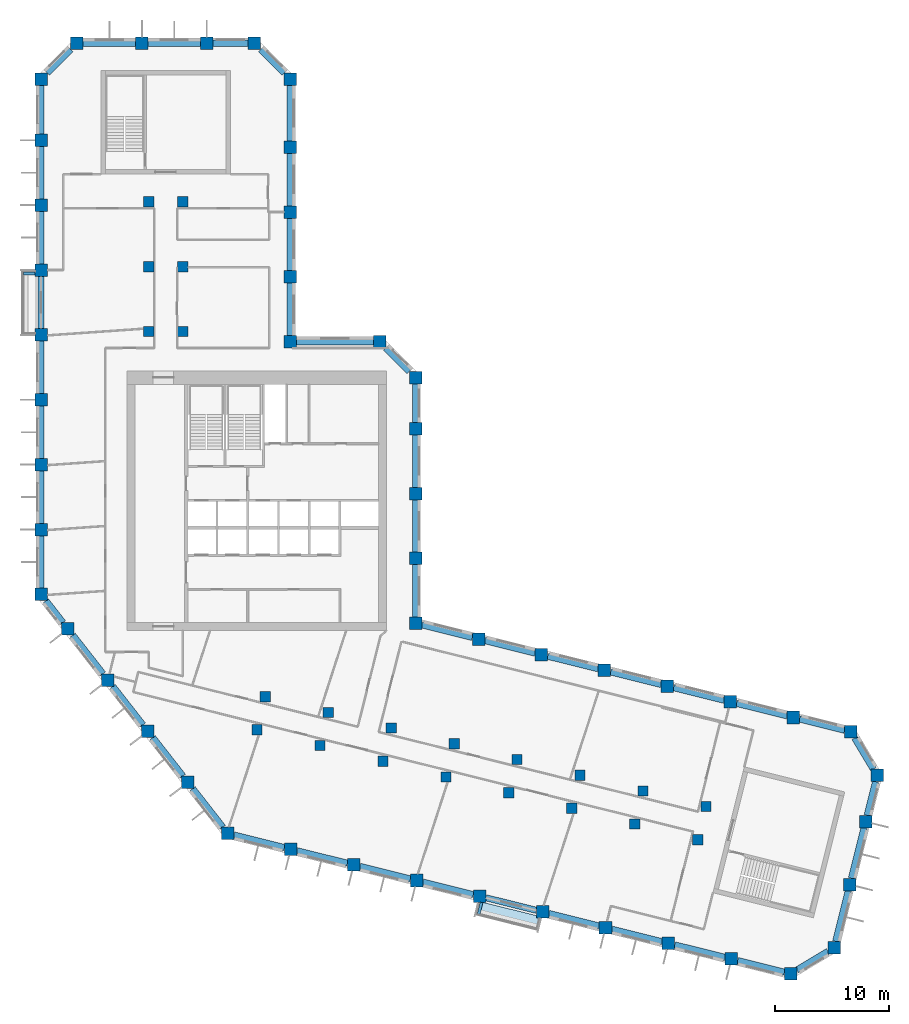
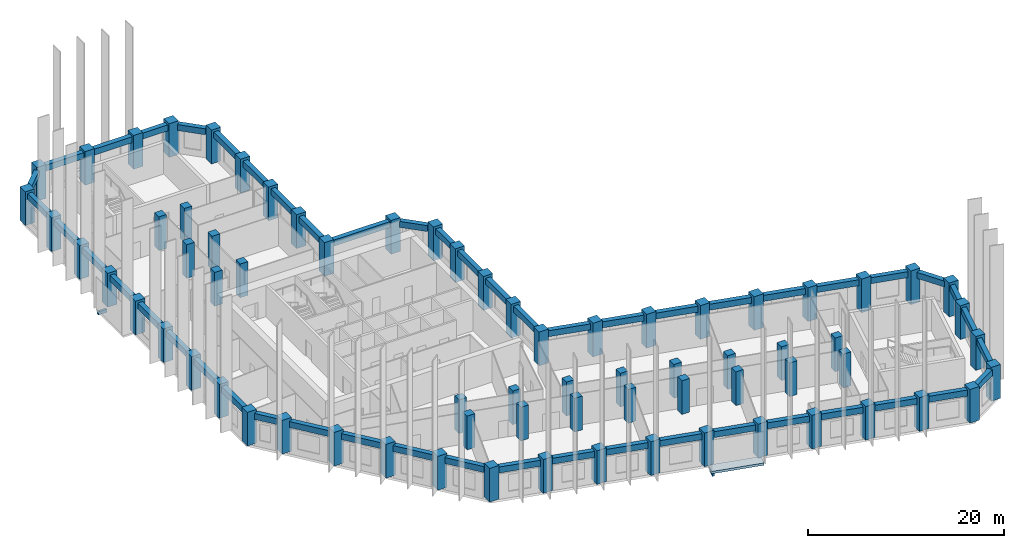
# One storey, part 1 of 10: 71 columns, 51 beams, 1 slab.
"""IFC4 building model written with IfcOpenShell, lengths in metres."""

import ifcopenshell
import ifcopenshell.guid

model = None  # the IFC model being written
_history = None  # IfcOwnerHistory: only IFC2X3 demands one
_inside = {}  # id of a spatial element -> (the spatial element, [elements in it])
_under = {}  # id of a project, library or spatial element -> (it, [spatial elements below it])
_declared = {}  # id of a project -> (the project, [libraries it declares])
_typed = {}  # id of a type object -> (the type object, [elements of that type])
_made_of = {}  # id of a material, layer set ... -> (it, [elements and type objects made of it])


def new_model(schema):
    """Start an empty IFC model of exactly this schema.

    Asked for "IFC4X3", IfcOpenShell would pick the latest addendum, in which some entities
    have other attributes; the version numbers below select the first issue.
    IFC2X3 requires an IfcOwnerHistory on every rooted entity: one is made here for all.
    """
    global model, _history
    if schema == "IFC4X3":
        model = ifcopenshell.file(schema_version=(4, 3, 0, 0))
    else:
        model = ifcopenshell.file(schema=schema)
    _inside.clear()
    _under.clear()
    _declared.clear()
    _typed.clear()
    _made_of.clear()
    _history = None
    if model.schema == "IFC2X3":
        org = make("IfcOrganization", Name="unknown")
        user = make(
            "IfcPersonAndOrganization",
            ThePerson=make("IfcPerson", FamilyName="unknown"),
            TheOrganization=org,
        )
        app = make(
            "IfcApplication",
            ApplicationDeveloper=org,
            Version="unknown",
            ApplicationFullName="unknown",
            ApplicationIdentifier="unknown",
        )
        _history = make(
            "IfcOwnerHistory",
            OwningUser=user,
            OwningApplication=app,
            ChangeAction="ADDED",
            CreationDate=0,
        )
    return model


def make(cls, **values):
    """One entity of the class cls with the attributes given. An attribute that is None is left unset."""
    return model.create_entity(
        cls, **{name: value for name, value in values.items() if value is not None}
    )


def rooted(cls, **values):
    """An entity with a GlobalId (a new one), such as an element, a storey or a relation."""
    return make(cls, GlobalId=ifcopenshell.guid.new(), OwnerHistory=_history, **values)


def si_unit(unit_type, name, prefix=None):
    """IfcSIUnit, for example si_unit("LENGTHUNIT", "METRE", prefix="MILLI")."""
    return make("IfcSIUnit", UnitType=unit_type, Prefix=prefix, Name=name)


def assignment(units):
    """IfcUnitAssignment: the units of a project."""
    return None if units is None else make("IfcUnitAssignment", Units=units)


def point(xyz):
    """IfcCartesianPoint."""
    return None if xyz is None else make("IfcCartesianPoint", Coordinates=xyz)


def direction(xyz):
    """IfcDirection."""
    return None if xyz is None else make("IfcDirection", DirectionRatios=xyz)


def frame(location, z_axis=None, x_axis=None):
    """IfcAxis2Placement3D, a coordinate frame: its origin and axes. An axis left out is left unset."""
    return make(
        "IfcAxis2Placement3D",
        Location=point(location),
        Axis=direction(z_axis),
        RefDirection=direction(x_axis),
    )


def frame_2d(location, x_axis=None):
    """IfcAxis2Placement2D, a coordinate frame in the plane: its origin and x axis."""
    return make(
        "IfcAxis2Placement2D", Location=point(location), RefDirection=direction(x_axis)
    )


def origin():
    """The frame at (0, 0, 0) with its axes left unset."""
    return frame((0.0, 0.0, 0.0))


def origin_2d():
    """The frame at (0, 0) in the plane with its x axis left unset."""
    return frame_2d((0.0, 0.0))


def place(relative_to, where):
    """IfcLocalPlacement: puts the frame where relative to a parent placement (None: the world)."""
    return make(
        "IfcLocalPlacement", PlacementRelTo=relative_to, RelativePlacement=where
    )


def context(
    kind, dimensions, precision=None, world=None, true_north=None, identifier=None
):
    """IfcGeometricRepresentationContext, for example the 3D "Model" context."""
    return make(
        "IfcGeometricRepresentationContext",
        ContextIdentifier=identifier,
        ContextType=kind,
        CoordinateSpaceDimension=dimensions,
        Precision=precision,
        WorldCoordinateSystem=world,
        TrueNorth=true_north,
    )


def subcontext(parent, identifier, kind, view, scale=None):
    """IfcGeometricRepresentationSubContext, for example "Body" below "Model"."""
    return make(
        "IfcGeometricRepresentationSubContext",
        ContextIdentifier=identifier,
        ContextType=kind,
        ParentContext=parent,
        TargetScale=scale,
        TargetView=view,
    )


def project(units=None, contexts=None):
    """IfcProject with its units and contexts."""
    return rooted(
        "IfcProject",
        Name="project",
        RepresentationContexts=contexts,
        UnitsInContext=assignment(units),
    )


def spatial(cls, under=None, at=None, **own):
    """A site, building, storey or space (cls), placed at a placement, below another one or the project."""
    s = rooted(cls, ObjectPlacement=at, **own)
    if under is not None:
        _under.setdefault(under.id(), (under, []))[1].append(s)
    return s


def polyline(points):
    """IfcPolyline through the points."""
    return make("IfcPolyline", Points=[point(p) for p in points])


def profile(cls, at=None, kind="AREA", **sizes):
    """A parametric profile (cls). Its sizes go by their IFC names, for example OverallWidth=200.0."""
    return make(cls, ProfileType=kind, Position=at, **sizes)


def rectangle(**sizes):
    """IfcRectangleProfileDef."""
    return profile("IfcRectangleProfileDef", **sizes)


def outline(outer, holes=None, kind="AREA"):
    """IfcArbitraryClosedProfileDef: a profile drawn as a closed curve; with holes, ...WithVoids."""
    if holes is None:
        return make("IfcArbitraryClosedProfileDef", ProfileType=kind, OuterCurve=outer)
    return make(
        "IfcArbitraryProfileDefWithVoids",
        ProfileType=kind,
        OuterCurve=outer,
        InnerCurves=holes,
    )


def extrude(swept, where, along, depth):
    """IfcExtrudedAreaSolid: the profile swept, set in the frame where, extruded along a direction by depth."""
    return make(
        "IfcExtrudedAreaSolid",
        SweptArea=swept,
        Position=where,
        ExtrudedDirection=direction(along),
        Depth=depth,
    )


def shape(context_of_items, identifier, shape_type, items):
    """IfcShapeRepresentation: the items that make up one representation, for example the "Body"."""
    return make(
        "IfcShapeRepresentation",
        ContextOfItems=context_of_items,
        RepresentationIdentifier=identifier,
        RepresentationType=shape_type,
        Items=items,
    )


def material(Name=None, Category=None):
    """IfcMaterial."""
    return make("IfcMaterial", Name=Name, Category=Category)


def layer(
    of_material, thickness, ventilated=None, Name=None, Category=None, Priority=None
):
    """IfcMaterialLayer: one layer of a wall or slab, of a material (None: an air gap)."""
    return make(
        "IfcMaterialLayer",
        Material=of_material,
        LayerThickness=thickness,
        IsVentilated=ventilated,
        Name=Name,
        Category=Category,
        Priority=Priority,
    )


def layer_set(layers, Name=None):
    """IfcMaterialLayerSet."""
    return make("IfcMaterialLayerSet", MaterialLayers=layers, LayerSetName=Name)


def material_profile(
    of_material, cross_section, Name=None, Category=None, Priority=None
):
    """IfcMaterialProfile: a cross section and its material."""
    return make(
        "IfcMaterialProfile",
        Name=Name,
        Material=of_material,
        Profile=cross_section,
        Priority=Priority,
        Category=Category,
    )


def profile_set(profiles, Name=None, composite=None):
    """IfcMaterialProfileSet."""
    return make(
        "IfcMaterialProfileSet",
        Name=Name,
        MaterialProfiles=profiles,
        CompositeProfile=composite,
    )


def made_of(thing, what):
    """Note that an element or type object is made of a material, layer set ...; save() writes the relation."""
    if what is not None:
        _made_of.setdefault(what.id(), (what, []))[1].append(thing)
    return thing


def type_object(cls, material=None, **own):
    """A type object (cls), such as IfcWallType, which elements share."""
    return made_of(rooted(cls, **own), material)


def element(
    cls,
    number,
    at=None,
    inside=None,
    cuts=None,
    type_object=None,
    material=None,
    context=None,
    identifier="Body",
    shape_type=None,
    held_by="IfcProductDefinitionShape",
    body=None,
    shapes=None,
    **own,
):
    """One element of the class cls, such as IfcWall. Its Tag is "e" and its number.

    at: its placement. inside: the storey or other place that contains it. cuts: it is an
    opening in that element (IfcRelVoidsElement). A single representation is given by context,
    identifier, shape_type and body (its items); several are given by shapes. held_by: the class
    of the entity that holds the representations. save() writes the other relations.
    """
    e = rooted(cls, Tag="e%d" % number, ObjectPlacement=at, **own)
    if body is not None:
        shapes = [shape(context, identifier, shape_type, body)]
    if shapes is not None:
        e.Representation = make(held_by, Representations=shapes)
    if inside is not None:
        _inside.setdefault(inside.id(), (inside, []))[1].append(e)
    if cuts is not None:
        rooted(
            "IfcRelVoidsElement", RelatingBuildingElement=cuts, RelatedOpeningElement=e
        )
    if type_object is not None:
        _typed.setdefault(type_object.id(), (type_object, []))[1].append(e)
    return made_of(e, material)


def aggregate(whole, parts):
    """IfcRelAggregates: a whole, such as a stair, and the parts it consists of."""
    return rooted("IfcRelAggregates", RelatingObject=whole, RelatedObjects=parts)


def save(model, path):
    """Write the relations noted so far, then the file.

    IfcRelAggregates (storeys below a building ...), IfcRelContainedInSpatialStructure (elements
    in a storey), IfcRelDefinesByType, IfcRelAssociatesMaterial and IfcRelDeclares: one each for
    every whole, place, type object, material and project.
    """
    for whole, parts in _under.values():
        aggregate(whole, parts)
    for where, things in _inside.values():
        rooted(
            "IfcRelContainedInSpatialStructure",
            RelatedElements=things,
            RelatingStructure=where,
        )
    for kind, things in _typed.values():
        rooted("IfcRelDefinesByType", RelatedObjects=things, RelatingType=kind)
    for what, things in _made_of.values():
        rooted("IfcRelAssociatesMaterial", RelatedObjects=things, RelatingMaterial=what)
    for by, libraries in _declared.values():
        rooted("IfcRelDeclares", RelatingContext=by, RelatedDefinitions=libraries)
    model.write(path)


model = new_model("IFC4")

# Units and contexts
model_context = context("Model", 3, precision=1e-05, world=origin(), true_north=direction((0.0, 1.0)))
body_context = subcontext(model_context, "Body", "Model", "MODEL_VIEW")
ifc_project = project(units=[si_unit("LENGTHUNIT", "METRE"), si_unit("AREAUNIT", "SQUARE_METRE"), si_unit("VOLUMEUNIT", "CUBIC_METRE"), si_unit("PLANEANGLEUNIT", "RADIAN"), si_unit("MASSUNIT", "GRAM", prefix="KILO")], contexts=[model_context])

# Site, building, storey
site_placement = place(None, origin())
site = spatial("IfcSite", under=ifc_project, at=site_placement, CompositionType="ELEMENT")
building_placement = place(site_placement, origin())
building = spatial("IfcBuilding", under=site, at=building_placement, Name="Meshkara Civic Tower", CompositionType="ELEMENT")
storey_placement = place(building_placement, frame((0.0, 0.0, 242.39990234375)))
storey = spatial("IfcBuildingStorey", under=building, at=storey_placement, Name="L55", CompositionType="ELEMENT", Elevation=242.39990234375)

# Columns
ifc_material_1 = material(Name="Concrete C60", Category="concrete")
ifc_material_profile_1 = material_profile(ifc_material_1, rectangle(XDim=0.89990234375, YDim=0.89990234375, at=origin_2d()))
ifc_profile_set_1 = profile_set([ifc_material_profile_1], Name="Concrete C60")
column_type_1 = type_object("IfcColumnType", Name="Interior column RC 900x900 C60", PredefinedType="COLUMN", material=ifc_profile_set_1)
for number, where, z_axis, x_axis, name in (
    (1, (9.89990234375, 40.35009765625, 0.0), (0.0, 0.0, 1.0), (1.0, 0.0, 0.0), "Column SA1-04 L55"),
    (2, (9.89990234375, 46.050048828125, 0.0), (0.0, 0.0, 1.0), (1.0, 0.0, 0.0), "Column SA1-05 L55"),
    (3, (9.89990234375, 51.75, 0.0), (0.0, 0.0, 1.0), (1.0, 0.0, 0.0), "Column SA1-06 L55"),
    (4, (12.89990234375, 40.35009765625, 0.0), (0.0, 0.0, 1.0), (1.0, 0.0, 0.0), "Column SA2-04 L55"),
    (5, (12.89990234375, 46.050048828125, 0.0), (0.0, 0.0, 1.0), (1.0, 0.0, 0.0), "Column SA2-05 L55"),
    (6, (12.89990234375, 51.75, 0.0), (0.0, 0.0, 1.0), (1.0, 0.0, 0.0), "Column SA2-06 L55"),
    (7, (19.424072265625, 5.360107421875, 0.0), (0.0, 0.0, 1.0), (1.0, 0.0, 0.0), "Column SB1-00 L55"),
    (8, (24.9541015625, 3.98095703125, 0.0), (0.0, 0.0, 1.0), (1.0, 0.0, 0.0), "Column SB1-01 L55"),
    (9, (30.485107421875, 2.60205078125, 0.0), (0.0, 0.0, 1.0), (1.0, 0.0, 0.0), "Column SB1-02 L55"),
    (10, (36.01611328125, 1.222900390625, 0.0), (0.0, 0.0, 1.0), (1.0, 0.0, 0.0), "Column SB1-03 L55"),
    (11, (41.5458984375, -0.156005859375, 0.0), (0.0, 0.0, 1.0), (1.0, 0.0, 0.0), "Column SB1-04 L55"),
    (12, (47.076904296875, -1.534912109375, 0.0), (0.0, 0.0, 1.0), (1.0, 0.0, 0.0), "Column SB1-05 L55"),
    (13, (52.60791015625, -2.9140625, 0.0), (0.0, 0.0, 1.0), (1.0, 0.0, 0.0), "Column SB1-06 L55"),
    (14, (58.138916015625, -4.2919921875, 0.0), (0.0, 0.0, 1.0), (1.0, 0.0, 0.0), "Column SB1-07 L55"),
    (15, (20.14892578125, 8.27099609375, 0.0), (0.0, 0.0, 1.0), (1.0, 0.0, 0.0), "Column SB2-00 L55"),
    (16, (25.679931640625, 6.89208984375, 0.0), (0.0, 0.0, 1.0), (1.0, 0.0, 0.0), "Column SB2-01 L55"),
    (17, (31.2109375, 5.512939453125, 0.0), (0.0, 0.0, 1.0), (1.0, 0.0, 0.0), "Column SB2-02 L55"),
    (18, (36.741943359375, 4.134033203125, 0.0), (0.0, 0.0, 1.0), (1.0, 0.0, 0.0), "Column SB2-03 L55"),
    (19, (42.27197265625, 2.7548828125, 0.0), (0.0, 0.0, 1.0), (1.0, 0.0, 0.0), "Column SB2-04 L55"),
    (20, (47.802978515625, 1.3759765625, 0.0), (0.0, 0.0, 1.0), (1.0, 0.0, 0.0), "Column SB2-05 L55"),
    (21, (53.333984375, -0.0029296875, 0.0), (0.0, 0.0, 1.0), (1.0, 0.0, 0.0), "Column SB2-06 L55"),
    (22, (58.864013671875, -1.382080078125, 0.0), (0.0, 0.0, 1.0), (1.0, 0.0, 0.0), "Column SB2-07 L55"),
):
    element("IfcColumn", number, at=place(storey_placement, frame(where, z_axis=z_axis, x_axis=x_axis)), inside=storey, type_object=column_type_1, Name=name, PredefinedType="COLUMN", context=body_context, shape_type="SweptSolid", body=[
        extrude(rectangle(XDim=0.89990234375, YDim=0.89990234375, at=origin_2d()), origin(), (0.0, 0.0, 1.0), 4.2001953125),
    ])
ifc_material_2 = material(Name="Concrete C60", Category="concrete")
ifc_material_profile_2 = material_profile(ifc_material_2, rectangle(XDim=1.10009765625, YDim=1.10009765625, at=origin_2d()))
ifc_profile_set_2 = profile_set([ifc_material_profile_2], Name="Concrete C60")
column_type_2 = type_object("IfcColumnType", Name="Perimeter column RC 1100x1100 C60", PredefinedType="COLUMN", material=ifc_profile_set_2)
for number, where, z_axis, x_axis, name in (
    (23, (33.35009765625, 14.718994140625, 0.0), (0.0, 0.0, 1.0), (1.0, 0.0, 0.0), "Column HE00 L55"),
    (24, (33.35009765625, 20.4189453125, 0.0), (0.0, 0.0, 1.0), (1.0, 0.0, 0.0), "Column HE01 L55"),
    (25, (33.35009765625, 26.118896484375, 0.0), (0.0, 0.0, 1.0), (1.0, 0.0, 0.0), "Column HE02 L55"),
    (26, (33.35009765625, 31.819091796875, 0.0), (0.0, 0.0, 1.0), (1.0, 0.0, 0.0), "Column HE03 L55"),
    (27, (33.35009765625, 36.2939453125, 0.0), (0.0, 0.0, 1.0), (1.0, 0.0, 0.0), "Column HEE L55"),
    (28, (30.194091796875, 39.449951171875, 0.0), (0.0, 0.0, 1.0), (1.0, 0.0, 0.0), "Column HCeE L55"),
    (29, (22.35009765625, 39.449951171875, 0.0), (0.0, 0.0, 1.0), (1.0, 0.0, 0.0), "Column HN00 L55"),
    (30, (22.35009765625, 45.14990234375, 0.0), (0.0, 0.0, 1.0), (1.0, 0.0, 0.0), "Column AE01 L55"),
    (31, (22.35009765625, 50.85009765625, 0.0), (0.0, 0.0, 1.0), (1.0, 0.0, 0.0), "Column AE02 L55"),
    (32, (22.35009765625, 56.550048828125, 0.0), (0.0, 0.0, 1.0), (1.0, 0.0, 0.0), "Column AE03 L55"),
    (33, (22.35009765625, 62.513916015625, 0.0), (0.0, 0.0, 1.0), (1.0, 0.0, 0.0), "Column AEEP3 L55"),
    (34, (19.194091796875, 65.669921875, 0.0), (0.0, 0.0, 1.0), (1.0, 0.0, 0.0), "Column ATiEP3 L55"),
    (35, (3.60595703125, 65.669921875, 0.0), (0.0, 0.0, 1.0), (1.0, 0.0, 0.0), "Column AT00-P3 L55"),
    (36, (9.305908203125, 65.669921875, 0.0), (0.0, 0.0, 1.0), (1.0, 0.0, 0.0), "Column AT01-P3 L55"),
    (37, (15.006103515625, 65.669921875, 0.0), (0.0, 0.0, 1.0), (1.0, 0.0, 0.0), "Column AT02-P3 L55"),
    (38, (0.449951171875, 62.513916015625, 0.0), (0.0, 0.0, 1.0), (1.0, 0.0, 0.0), "Column ATo00-P3 L55"),
    (39, (0.449951171875, 17.2548828125, 0.0), (0.0, 0.0, 1.0), (1.0, 0.0, 0.0), "Column AW00 L55"),
    (40, (0.449951171875, 22.955078125, 0.0), (0.0, 0.0, 1.0), (1.0, 0.0, 0.0), "Column AW01 L55"),
    (41, (0.449951171875, 28.655029296875, 0.0), (0.0, 0.0, 1.0), (1.0, 0.0, 0.0), "Column AW02 L55"),
    (42, (0.449951171875, 34.35498046875, 0.0), (0.0, 0.0, 1.0), (1.0, 0.0, 0.0), "Column AW03 L55"),
    (43, (0.449951171875, 40.054931640625, 0.0), (0.0, 0.0, 1.0), (1.0, 0.0, 0.0), "Column AW04 L55"),
    (44, (0.449951171875, 45.7548828125, 0.0), (0.0, 0.0, 1.0), (1.0, 0.0, 0.0), "Column AW05 L55"),
    (45, (0.449951171875, 51.455078125, 0.0), (0.0, 0.0, 1.0), (1.0, 0.0, 0.0), "Column AW06 L55"),
    (46, (0.449951171875, 57.155029296875, 0.0), (0.0, 0.0, 1.0), (1.0, 0.0, 0.0), "Column AW07 L55"),
    (47, (16.85107421875, -3.738037109375, 0.0), (0.0, 0.0, 1.0), (1.0, 0.0, 0.0), "Column BOW00 L55"),
    (48, (13.342041015625, 0.75390625, 0.0), (0.0, 0.0, 1.0), (1.0, 0.0, 0.0), "Column BOW01 L55"),
    (49, (9.8330078125, 5.2451171875, 0.0), (0.0, 0.0, 1.0), (1.0, 0.0, 0.0), "Column BOW02 L55"),
    (50, (6.322998046875, 9.737060546875, 0.0), (0.0, 0.0, 1.0), (1.0, 0.0, 0.0), "Column BOW03 L55"),
    (51, (2.81396484375, 14.22900390625, 0.0), (0.0, 0.0, 1.0), (1.0, 0.0, 0.0), "Column BOW04 L55"),
    (52, (22.382080078125, -5.116943359375, 0.0), (0.0, 0.0, 1.0), (1.0, 0.0, 0.0), "Column BS01 L55"),
    (53, (27.912109375, -6.49609375, 0.0), (0.0, 0.0, 1.0), (1.0, 0.0, 0.0), "Column BS02 L55"),
    (54, (33.443115234375, -7.875, 0.0), (0.0, 0.0, 1.0), (1.0, 0.0, 0.0), "Column BS03 L55"),
    (55, (38.97412109375, -9.2529296875, 0.0), (0.0, 0.0, 1.0), (1.0, 0.0, 0.0), "Column BS04-P1 L55"),
    (56, (44.5048828125, -10.632080078125, 0.0), (0.0, 0.0, 1.0), (1.0, 0.0, 0.0), "Column BS05 L55"),
    (57, (50.034912109375, -12.010986328125, 0.0), (0.0, 0.0, 1.0), (1.0, 0.0, 0.0), "Column BS06 L55"),
    (58, (55.56591796875, -13.389892578125, 0.0), (0.0, 0.0, 1.0), (1.0, 0.0, 0.0), "Column BS07 L55"),
    (59, (61.096923828125, -14.76904296875, 0.0), (0.0, 0.0, 1.0), (1.0, 0.0, 0.0), "Column BS08 L55"),
    (60, (66.2958984375, -16.06494140625, 0.0), (0.0, 0.0, 1.0), (1.0, 0.0, 0.0), "Column BSEP3 L55"),
    (61, (70.1220703125, -13.76611328125, 0.0), (0.0, 0.0, 1.0), (1.0, 0.0, 0.0), "Column BToEP3 L55"),
    (62, (71.5009765625, -8.235107421875, 0.0), (0.0, 0.0, 1.0), (1.0, 0.0, 0.0), "Column BT01-P3 L55"),
    (63, (72.8798828125, -2.705078125, 0.0), (0.0, 0.0, 1.0), (1.0, 0.0, 0.0), "Column BT02-P3 L55"),
    (64, (73.89306640625, 1.35791015625, 0.0), (0.0, 0.0, 1.0), (1.0, 0.0, 0.0), "Column BTEP3 L55"),
    (65, (71.593994140625, 5.18310546875, 0.0), (0.0, 0.0, 1.0), (1.0, 0.0, 0.0), "Column BTi00-P3 L55"),
    (66, (38.881103515625, 13.340087890625, 0.0), (0.0, 0.0, 1.0), (1.0, 0.0, 0.0), "Column BN01 L55"),
    (67, (44.410888671875, 11.9609375, 0.0), (0.0, 0.0, 1.0), (1.0, 0.0, 0.0), "Column BN02 L55"),
    (68, (49.94189453125, 10.58203125, 0.0), (0.0, 0.0, 1.0), (1.0, 0.0, 0.0), "Column BN03 L55"),
    (69, (55.472900390625, 9.202880859375, 0.0), (0.0, 0.0, 1.0), (1.0, 0.0, 0.0), "Column BN04 L55"),
    (70, (61.0029296875, 7.823974609375, 0.0), (0.0, 0.0, 1.0), (1.0, 0.0, 0.0), "Column BN05 L55"),
    (71, (66.533935546875, 6.445068359375, 0.0), (0.0, 0.0, 1.0), (1.0, 0.0, 0.0), "Column BN06 L55"),
):
    element("IfcColumn", number, at=place(storey_placement, frame(where, z_axis=z_axis, x_axis=x_axis)), inside=storey, type_object=column_type_2, Name=name, PredefinedType="COLUMN", context=body_context, shape_type="SweptSolid", body=[
        extrude(rectangle(XDim=1.10009765625, YDim=1.10009765625, at=origin_2d()), origin(), (0.0, 0.0, 1.0), 4.2001953125),
    ])

# Beams
ifc_material_3 = material(Name="Concrete C50", Category="concrete")
ifc_material_profile_3 = material_profile(ifc_material_3, rectangle(XDim=0.25, YDim=0.39990234375, at=origin_2d()))
ifc_profile_set_3 = profile_set([ifc_material_profile_3], Name="Concrete C50")
beam_type_1 = type_object("IfcBeamType", Name="Balcony bracket beam RC 250x400 C50", PredefinedType="BEAM", material=ifc_profile_set_3)
beam_1_placement = place(storey_placement, frame((-0.094970703125, 45.455078125, -0.5), z_axis=(-1.0, 0.0, 0.0), x_axis=(0.0, -1.0, 0.0)))
element("IfcBeam", 72, at=beam_1_placement, inside=storey, type_object=beam_type_1, Name="Balcony bracket beam", PredefinedType="BEAM", context=body_context, shape_type="SweptSolid", body=[
    extrude(rectangle(XDim=0.25, YDim=0.39990234375, at=origin_2d()), origin(), (0.0, 0.0, 1.0), 1.005126953125),
])
beam_2_placement = place(storey_placement, frame((39.14697265625, -9.798095703125, -0.5), z_axis=(-0.241725333206, -0.970344713639, 0.0), x_axis=(0.970344713639, -0.241725333206, 0.0)))
element("IfcBeam", 73, at=beam_2_placement, inside=storey, type_object=beam_type_1, Name="Balcony bracket beam", PredefinedType="BEAM", context=body_context, shape_type="SweptSolid", body=[
    extrude(rectangle(XDim=0.25, YDim=0.39990234375, at=origin_2d()), origin(), (0.0, 0.0, 1.0), 1.0634765625),
])
ifc_material_4 = material(Name="Concrete C60", Category="concrete")
ifc_material_profile_4 = material_profile(ifc_material_4, rectangle(XDim=0.550048828125, YDim=0.75, at=origin_2d()))
ifc_profile_set_4 = profile_set([ifc_material_profile_4], Name="Concrete C60")
beam_type_2 = type_object("IfcBeamType", Name="Spandrel beam RC 550x750 C60", PredefinedType="BEAM", material=ifc_profile_set_4)
beam_3_placement = place(storey_placement, frame((65.989013671875, 6.580810546875, 3.525146484375), z_axis=(-0.970299186733, 0.241908016044, 0.0), x_axis=(-0.241908016044, -0.970299186733, 0.0)))
element("IfcBeam", 74, at=beam_3_placement, inside=storey, type_object=beam_type_2, Name="Spandrel beam BN05-BN06", PredefinedType="BEAM", context=body_context, shape_type="SweptSolid", body=[
    extrude(rectangle(XDim=0.550048828125, YDim=0.75, at=origin_2d()), origin(), (0.0, 0.0, 1.0), 4.576904296875),
])
beam_4_placement = place(storey_placement, frame((60.4580078125, 7.9599609375, 3.525146484375), z_axis=(-0.970286696562, 0.241958108925, 0.0), x_axis=(-0.241958108925, -0.970286696562, 0.0)))
element("IfcBeam", 75, at=beam_4_placement, inside=storey, type_object=beam_type_2, Name="Spandrel beam BN04-BN05", PredefinedType="BEAM", context=body_context, shape_type="SweptSolid", body=[
    extrude(rectangle(XDim=0.550048828125, YDim=0.75, at=origin_2d()), origin(), (0.0, 0.0, 1.0), 4.575927734375),
])
for number, where, z_axis, x_axis, name in (
    (76, (54.927978515625, 9.3388671875, 3.525146484375), (-0.970299186733, 0.241908016044, 0.0), (-0.241908016044, -0.970299186733, 0.0), "Spandrel beam BN03-BN04"),
    (77, (49.39697265625, 10.718017578125, 3.525146484375), (-0.970299186733, 0.241908016044, 0.0), (-0.241908016044, -0.970299186733, 0.0), "Spandrel beam BN02-BN03"),
):
    element("IfcBeam", number, at=place(storey_placement, frame(where, z_axis=z_axis, x_axis=x_axis)), inside=storey, type_object=beam_type_2, Name=name, PredefinedType="BEAM", context=body_context, shape_type="SweptSolid", body=[
        extrude(rectangle(XDim=0.550048828125, YDim=0.75, at=origin_2d()), origin(), (0.0, 0.0, 1.0), 4.576904296875),
    ])
beam_5_placement = place(storey_placement, frame((43.865966796875, 12.096923828125, 3.525146484375), z_axis=(-0.970286696562, 0.241958108925, 0.0), x_axis=(-0.241958108925, -0.970286696562, 0.0)))
element("IfcBeam", 78, at=beam_5_placement, inside=storey, type_object=beam_type_2, Name="Spandrel beam BN01-BN02", PredefinedType="BEAM", context=body_context, shape_type="SweptSolid", body=[
    extrude(rectangle(XDim=0.550048828125, YDim=0.75, at=origin_2d()), origin(), (0.0, 0.0, 1.0), 4.575927734375),
])
beam_6_placement = place(storey_placement, frame((38.3359375, 13.475830078125, 3.525146484375), z_axis=(-0.970299186733, 0.241908016044, 0.0), x_axis=(-0.241908016044, -0.970299186733, 0.0)))
element("IfcBeam", 79, at=beam_6_placement, inside=storey, type_object=beam_type_2, Name="Spandrel beam BN01-HE00", PredefinedType="BEAM", context=body_context, shape_type="SweptSolid", body=[
    extrude(rectangle(XDim=0.550048828125, YDim=0.75, at=origin_2d()), origin(), (0.0, 0.0, 1.0), 4.576904296875),
])
beam_7_placement = place(storey_placement, frame((33.35009765625, 15.263916015625, 3.525146484375), z_axis=(0.0, 1.0, 0.0), x_axis=(-1.0, 0.0, 0.0)))
element("IfcBeam", 80, at=beam_7_placement, inside=storey, type_object=beam_type_2, Name="Spandrel beam HE00-HE01", PredefinedType="BEAM", context=body_context, shape_type="SweptSolid", body=[
    extrude(rectangle(XDim=0.550048828125, YDim=0.75, at=origin_2d()), origin(), (0.0, 0.0, 1.0), 4.610107421875),
])
for number, where, z_axis, x_axis, name in (
    (81, (33.35009765625, 20.964111328125, 3.525146484375), (0.0, 1.0, 0.0), (-1.0, 0.0, 0.0), "Spandrel beam HE01-HE02"),
    (82, (33.35009765625, 26.6640625, 3.525146484375), (0.0, 1.0, 0.0), (-1.0, 0.0, 0.0), "Spandrel beam HE02-HE03"),
):
    element("IfcBeam", number, at=place(storey_placement, frame(where, z_axis=z_axis, x_axis=x_axis)), inside=storey, type_object=beam_type_2, Name=name, PredefinedType="BEAM", context=body_context, shape_type="SweptSolid", body=[
        extrude(rectangle(XDim=0.550048828125, YDim=0.75, at=origin_2d()), origin(), (0.0, 0.0, 1.0), 4.60986328125),
    ])
beam_8_placement = place(storey_placement, frame((33.35009765625, 32.364013671875, 3.525146484375), z_axis=(0.0, 1.0, 0.0), x_axis=(-1.0, 0.0, 0.0)))
element("IfcBeam", 83, at=beam_8_placement, inside=storey, type_object=beam_type_2, Name="Spandrel beam HE03-HEE", PredefinedType="BEAM", context=body_context, shape_type="SweptSolid", body=[
    extrude(rectangle(XDim=0.550048828125, YDim=0.75, at=origin_2d()), origin(), (0.0, 0.0, 1.0), 3.385009765625),
])
beam_9_placement = place(storey_placement, frame((32.803466796875, 36.840576171875, 3.525146484375), z_axis=(-0.707106781187, 0.707106781187, 0.0), x_axis=(-0.707106781187, -0.707106781187, 0.0)))
element("IfcBeam", 84, at=beam_9_placement, inside=storey, type_object=beam_type_2, Name="Spandrel beam HCeE-HEE", PredefinedType="BEAM", context=body_context, shape_type="SweptSolid", body=[
    extrude(rectangle(XDim=0.550048828125, YDim=0.75, at=origin_2d()), origin(), (0.0, 0.0, 1.0), 2.91748046875),
])
beam_10_placement = place(storey_placement, frame((29.64892578125, 39.449951171875, 3.525146484375), z_axis=(-1.0, 0.0, 0.0), x_axis=(0.0, -1.0, 0.0)))
element("IfcBeam", 85, at=beam_10_placement, inside=storey, type_object=beam_type_2, Name="Spandrel beam HCeE-HN00", PredefinedType="BEAM", context=body_context, shape_type="SweptSolid", body=[
    extrude(rectangle(XDim=0.550048828125, YDim=0.75, at=origin_2d()), origin(), (0.0, 0.0, 1.0), 6.75390625),
])
for number, where, z_axis, x_axis, name in (
    (86, (22.35009765625, 39.9951171875, 3.525146484375), (0.0, 1.0, 0.0), (-1.0, 0.0, 0.0), "Spandrel beam AE01-HN00"),
    (87, (22.35009765625, 45.695068359375, 3.525146484375), (0.0, 1.0, 0.0), (-1.0, 0.0, 0.0), "Spandrel beam AE01-AE02"),
    (88, (22.35009765625, 51.39501953125, 3.525146484375), (0.0, 1.0, 0.0), (-1.0, 0.0, 0.0), "Spandrel beam AE02-AE03"),
):
    element("IfcBeam", number, at=place(storey_placement, frame(where, z_axis=z_axis, x_axis=x_axis)), inside=storey, type_object=beam_type_2, Name=name, PredefinedType="BEAM", context=body_context, shape_type="SweptSolid", body=[
        extrude(rectangle(XDim=0.550048828125, YDim=0.75, at=origin_2d()), origin(), (0.0, 0.0, 1.0), 4.60986328125),
    ])
beam_11_placement = place(storey_placement, frame((22.35009765625, 57.094970703125, 3.525146484375), z_axis=(0.0, 1.0, 0.0), x_axis=(-1.0, 0.0, 0.0)))
element("IfcBeam", 89, at=beam_11_placement, inside=storey, type_object=beam_type_2, Name="Spandrel beam AE03-AEEP3", PredefinedType="BEAM", context=body_context, shape_type="SweptSolid", body=[
    extrude(rectangle(XDim=0.550048828125, YDim=0.75, at=origin_2d()), origin(), (0.0, 0.0, 1.0), 4.8740234375),
])
beam_12_placement = place(storey_placement, frame((21.803466796875, 63.060546875, 3.525146484375), z_axis=(-0.707106781187, 0.707106781187, 0.0), x_axis=(-0.707106781187, -0.707106781187, 0.0)))
element("IfcBeam", 90, at=beam_12_placement, inside=storey, type_object=beam_type_2, Name="Spandrel beam AEEP3-ATiEP3", PredefinedType="BEAM", context=body_context, shape_type="SweptSolid", body=[
    extrude(rectangle(XDim=0.550048828125, YDim=0.75, at=origin_2d()), origin(), (0.0, 0.0, 1.0), 2.91748046875),
])
beam_13_placement = place(storey_placement, frame((18.64892578125, 65.669921875, 3.525146484375), z_axis=(-1.0, 0.0, 0.0), x_axis=(0.0, -1.0, 0.0)))
element("IfcBeam", 91, at=beam_13_placement, inside=storey, type_object=beam_type_2, Name="Spandrel beam AT02-P3-ATiEP3", PredefinedType="BEAM", context=body_context, shape_type="SweptSolid", body=[
    extrude(rectangle(XDim=0.550048828125, YDim=0.75, at=origin_2d()), origin(), (0.0, 0.0, 1.0), 3.097900390625),
])
beam_14_placement = place(storey_placement, frame((14.4609375, 65.669921875, 3.525146484375), z_axis=(-1.0, 0.0, 0.0), x_axis=(0.0, -1.0, 0.0)))
element("IfcBeam", 92, at=beam_14_placement, inside=storey, type_object=beam_type_2, Name="Spandrel beam AT01-P3-AT02-P3", PredefinedType="BEAM", context=body_context, shape_type="SweptSolid", body=[
    extrude(rectangle(XDim=0.550048828125, YDim=0.75, at=origin_2d()), origin(), (0.0, 0.0, 1.0), 4.60986328125),
])
beam_15_placement = place(storey_placement, frame((8.760986328125, 65.669921875, 3.525146484375), z_axis=(-1.0, 0.0, 0.0), x_axis=(0.0, -1.0, 0.0)))
element("IfcBeam", 93, at=beam_15_placement, inside=storey, type_object=beam_type_2, Name="Spandrel beam AT00-P3-AT01-P3", PredefinedType="BEAM", context=body_context, shape_type="SweptSolid", body=[
    extrude(rectangle(XDim=0.550048828125, YDim=0.75, at=origin_2d()), origin(), (0.0, 0.0, 1.0), 4.610107421875),
])
beam_16_placement = place(storey_placement, frame((3.0595703125, 65.12353515625, 3.525146484375), z_axis=(-0.707106781187, -0.707106781187, 0.0), x_axis=(0.707106781187, -0.707106781187, 0.0)))
element("IfcBeam", 94, at=beam_16_placement, inside=storey, type_object=beam_type_2, Name="Spandrel beam AT00-P3-ATo00-P3", PredefinedType="BEAM", context=body_context, shape_type="SweptSolid", body=[
    extrude(rectangle(XDim=0.550048828125, YDim=0.75, at=origin_2d()), origin(), (0.0, 0.0, 1.0), 2.91748046875),
])
beam_17_placement = place(storey_placement, frame((0.449951171875, 61.968994140625, 3.525146484375), z_axis=(0.0, -1.0, 0.0), x_axis=(1.0, 0.0, 0.0)))
element("IfcBeam", 95, at=beam_17_placement, inside=storey, type_object=beam_type_2, Name="Spandrel beam ATo00-P3-AW07", PredefinedType="BEAM", context=body_context, shape_type="SweptSolid", body=[
    extrude(rectangle(XDim=0.550048828125, YDim=0.75, at=origin_2d()), origin(), (0.0, 0.0, 1.0), 4.26904296875),
])
beam_18_placement = place(storey_placement, frame((0.449951171875, 56.610107421875, 3.525146484375), z_axis=(0.0, -1.0, 0.0), x_axis=(1.0, 0.0, 0.0)))
element("IfcBeam", 96, at=beam_18_placement, inside=storey, type_object=beam_type_2, Name="Spandrel beam AW06-AW07", PredefinedType="BEAM", context=body_context, shape_type="SweptSolid", body=[
    extrude(rectangle(XDim=0.550048828125, YDim=0.75, at=origin_2d()), origin(), (0.0, 0.0, 1.0), 4.610107421875),
])
for number, where, z_axis, x_axis, name in (
    (97, (0.449951171875, 50.909912109375, 3.525146484375), (0.0, -1.0, 0.0), (1.0, 0.0, 0.0), "Spandrel beam AW05-AW06"),
    (98, (0.449951171875, 45.2099609375, 3.525146484375), (0.0, -1.0, 0.0), (1.0, 0.0, 0.0), "Spandrel beam AW04-AW05"),
):
    element("IfcBeam", number, at=place(storey_placement, frame(where, z_axis=z_axis, x_axis=x_axis)), inside=storey, type_object=beam_type_2, Name=name, PredefinedType="BEAM", context=body_context, shape_type="SweptSolid", body=[
        extrude(rectangle(XDim=0.550048828125, YDim=0.75, at=origin_2d()), origin(), (0.0, 0.0, 1.0), 4.60986328125),
    ])
for number, where, z_axis, x_axis, name in (
    (99, (0.449951171875, 39.510009765625, 3.525146484375), (0.0, -1.0, 0.0), (1.0, 0.0, 0.0), "Spandrel beam AW03-AW04"),
    (100, (0.449951171875, 33.81005859375, 3.525146484375), (0.0, -1.0, 0.0), (1.0, 0.0, 0.0), "Spandrel beam AW02-AW03"),
    (101, (0.449951171875, 28.110107421875, 3.525146484375), (0.0, -1.0, 0.0), (1.0, 0.0, 0.0), "Spandrel beam AW01-AW02"),
):
    element("IfcBeam", number, at=place(storey_placement, frame(where, z_axis=z_axis, x_axis=x_axis)), inside=storey, type_object=beam_type_2, Name=name, PredefinedType="BEAM", context=body_context, shape_type="SweptSolid", body=[
        extrude(rectangle(XDim=0.550048828125, YDim=0.75, at=origin_2d()), origin(), (0.0, 0.0, 1.0), 4.610107421875),
    ])
beam_19_placement = place(storey_placement, frame((0.449951171875, 22.409912109375, 3.525146484375), z_axis=(0.0, -1.0, 0.0), x_axis=(1.0, 0.0, 0.0)))
element("IfcBeam", 102, at=beam_19_placement, inside=storey, type_object=beam_type_2, Name="Spandrel beam AW00-AW01", PredefinedType="BEAM", context=body_context, shape_type="SweptSolid", body=[
    extrude(rectangle(XDim=0.550048828125, YDim=0.75, at=origin_2d()), origin(), (0.0, 0.0, 1.0), 4.60986328125),
])
beam_20_placement = place(storey_placement, frame((0.876708984375, 16.708984375, 3.525146484375), z_axis=(0.615626666257, -0.788037948194, 0.0), x_axis=(0.788037948194, 0.615626666257, 0.0)))
element("IfcBeam", 103, at=beam_20_placement, inside=storey, type_object=beam_type_2, Name="Spandrel beam AW00-BOW04", PredefinedType="BEAM", context=body_context, shape_type="SweptSolid", body=[
    extrude(rectangle(XDim=0.550048828125, YDim=0.75, at=origin_2d()), origin(), (0.0, 0.0, 1.0), 2.4541015625),
])
beam_21_placement = place(storey_placement, frame((3.240478515625, 13.682861328125, 3.525146484375), z_axis=(0.615647336498, -0.788021799865, 0.0), x_axis=(0.788021799865, 0.615647336498, 0.0)))
element("IfcBeam", 104, at=beam_21_placement, inside=storey, type_object=beam_type_2, Name="Spandrel beam BOW03-BOW04", PredefinedType="BEAM", context=body_context, shape_type="SweptSolid", body=[
    extrude(rectangle(XDim=0.550048828125, YDim=0.75, at=origin_2d()), origin(), (0.0, 0.0, 1.0), 4.314208984375),
])
beam_22_placement = place(storey_placement, frame((6.749755859375, 9.19091796875, 3.525146484375), z_axis=(0.615690159083, -0.787988342559, 0.0), x_axis=(0.787988342559, 0.615690159083, 0.0)))
element("IfcBeam", 105, at=beam_22_placement, inside=storey, type_object=beam_type_2, Name="Spandrel beam BOW02-BOW03", PredefinedType="BEAM", context=body_context, shape_type="SweptSolid", body=[
    extrude(rectangle(XDim=0.550048828125, YDim=0.75, at=origin_2d()), origin(), (0.0, 0.0, 1.0), 4.314697265625),
])
beam_23_placement = place(storey_placement, frame((10.259765625, 4.698974609375, 3.525146484375), z_axis=(0.615659419462, -0.788012359819, 0.0), x_axis=(0.788012359819, 0.615659419462, 0.0)))
element("IfcBeam", 106, at=beam_23_placement, inside=storey, type_object=beam_type_2, Name="Spandrel beam BOW01-BOW02", PredefinedType="BEAM", context=body_context, shape_type="SweptSolid", body=[
    extrude(rectangle(XDim=0.550048828125, YDim=0.75, at=origin_2d()), origin(), (0.0, 0.0, 1.0), 4.313232421875),
])
beam_24_placement = place(storey_placement, frame((13.7685546875, 0.2080078125, 3.525146484375), z_axis=(0.615584739249, -0.788070700384, 0.0), x_axis=(0.788070700384, 0.615584739249, 0.0)))
element("IfcBeam", 107, at=beam_24_placement, inside=storey, type_object=beam_type_2, Name="Spandrel beam BOW00-BOW01", PredefinedType="BEAM", context=body_context, shape_type="SweptSolid", body=[
    extrude(rectangle(XDim=0.550048828125, YDim=0.75, at=origin_2d()), origin(), (0.0, 0.0, 1.0), 4.314208984375),
])
beam_25_placement = place(storey_placement, frame((17.39599609375, -3.873779296875, 3.525146484375), z_axis=(0.970286664886, -0.24195823595, 0.0), x_axis=(0.24195823595, 0.970286664886, 0.0)))
element("IfcBeam", 108, at=beam_25_placement, inside=storey, type_object=beam_type_2, Name="Spandrel beam BOW00-BS01", PredefinedType="BEAM", context=body_context, shape_type="SweptSolid", body=[
    extrude(rectangle(XDim=0.550048828125, YDim=0.75, at=origin_2d()), origin(), (0.0, 0.0, 1.0), 4.576904296875),
])
beam_26_placement = place(storey_placement, frame((22.927001953125, -5.2529296875, 3.525146484375), z_axis=(0.970286696562, -0.241958108925, 0.0), x_axis=(0.241958108925, 0.970286696562, 0.0)))
element("IfcBeam", 109, at=beam_26_placement, inside=storey, type_object=beam_type_2, Name="Spandrel beam BS01-BS02", PredefinedType="BEAM", context=body_context, shape_type="SweptSolid", body=[
    extrude(rectangle(XDim=0.550048828125, YDim=0.75, at=origin_2d()), origin(), (0.0, 0.0, 1.0), 4.575927734375),
])
beam_27_placement = place(storey_placement, frame((28.45703125, -6.6318359375, 3.525146484375), z_axis=(0.970299186733, -0.241908016044, 0.0), x_axis=(0.241908016044, 0.970299186733, 0.0)))
element("IfcBeam", 110, at=beam_27_placement, inside=storey, type_object=beam_type_2, Name="Spandrel beam BS02-BS03", PredefinedType="BEAM", context=body_context, shape_type="SweptSolid", body=[
    extrude(rectangle(XDim=0.550048828125, YDim=0.75, at=origin_2d()), origin(), (0.0, 0.0, 1.0), 4.576904296875),
])
beam_28_placement = place(storey_placement, frame((33.988037109375, -8.0107421875, 3.525146484375), z_axis=(0.970336738613, -0.241757344662, 0.0), x_axis=(0.241757344662, 0.970336738613, 0.0)))
element("IfcBeam", 111, at=beam_28_placement, inside=storey, type_object=beam_type_2, Name="Spandrel beam BS03-BS04-P1", PredefinedType="BEAM", context=body_context, shape_type="SweptSolid", body=[
    extrude(rectangle(XDim=0.550048828125, YDim=0.75, at=origin_2d()), origin(), (0.0, 0.0, 1.0), 4.57666015625),
])
beam_29_placement = place(storey_placement, frame((39.51904296875, -9.388916015625, 3.525146484375), z_axis=(0.970299186733, -0.241908016044, 0.0), x_axis=(0.241908016044, 0.970299186733, 0.0)))
element("IfcBeam", 112, at=beam_29_placement, inside=storey, type_object=beam_type_2, Name="Spandrel beam BS04-P1-BS05", PredefinedType="BEAM", context=body_context, shape_type="SweptSolid", body=[
    extrude(rectangle(XDim=0.550048828125, YDim=0.75, at=origin_2d()), origin(), (0.0, 0.0, 1.0), 4.576904296875),
])
beam_30_placement = place(storey_placement, frame((45.050048828125, -10.767822265625, 3.525146484375), z_axis=(0.970286696562, -0.241958108925, 0.0), x_axis=(0.241958108925, 0.970286696562, 0.0)))
element("IfcBeam", 113, at=beam_30_placement, inside=storey, type_object=beam_type_2, Name="Spandrel beam BS05-BS06", PredefinedType="BEAM", context=body_context, shape_type="SweptSolid", body=[
    extrude(rectangle(XDim=0.550048828125, YDim=0.75, at=origin_2d()), origin(), (0.0, 0.0, 1.0), 4.575927734375),
])
for number, where, z_axis, x_axis, name in (
    (114, (50.580078125, -12.14697265625, 3.525146484375), (0.970299186733, -0.241908016044, 0.0), (0.241908016044, 0.970299186733, 0.0), "Spandrel beam BS06-BS07"),
    (115, (56.111083984375, -13.52587890625, 3.525146484375), (0.970299186733, -0.241908016044, 0.0), (0.241908016044, 0.970299186733, 0.0), "Spandrel beam BS07-BS08"),
):
    element("IfcBeam", number, at=place(storey_placement, frame(where, z_axis=z_axis, x_axis=x_axis)), inside=storey, type_object=beam_type_2, Name=name, PredefinedType="BEAM", context=body_context, shape_type="SweptSolid", body=[
        extrude(rectangle(XDim=0.550048828125, YDim=0.75, at=origin_2d()), origin(), (0.0, 0.0, 1.0), 4.576904296875),
    ])
beam_31_placement = place(storey_placement, frame((61.64208984375, -14.90478515625, 3.525146484375), z_axis=(0.970298301424, -0.24191156701, 0.0), x_axis=(0.24191156701, 0.970298301424, 0.0)))
element("IfcBeam", 116, at=beam_31_placement, inside=storey, type_object=beam_type_2, Name="Spandrel beam BS08-BSEP3", PredefinedType="BEAM", context=body_context, shape_type="SweptSolid", body=[
    extrude(rectangle(XDim=0.550048828125, YDim=0.75, at=origin_2d()), origin(), (0.0, 0.0, 1.0), 4.234619140625),
])
beam_32_placement = place(storey_placement, frame((66.841796875, -15.737060546875, 3.525146484375), z_axis=(0.857175401914, 0.51502459199, 0.0), x_axis=(-0.51502459199, 0.857175401914, 0.0)))
element("IfcBeam", 117, at=beam_32_placement, inside=storey, type_object=beam_type_2, Name="Spandrel beam BSEP3-BToEP3", PredefinedType="BEAM", context=body_context, shape_type="SweptSolid", body=[
    extrude(rectangle(XDim=0.550048828125, YDim=0.75, at=origin_2d()), origin(), (0.0, 0.0, 1.0), 3.190185546875),
])
beam_33_placement = place(storey_placement, frame((70.2578125, -13.220947265625, 3.525146484375), z_axis=(0.241908016044, 0.970299186733, 0.0), x_axis=(-0.970299186733, 0.241908016044, 0.0)))
element("IfcBeam", 118, at=beam_33_placement, inside=storey, type_object=beam_type_2, Name="Spandrel beam BT01-P3-BToEP3", PredefinedType="BEAM", context=body_context, shape_type="SweptSolid", body=[
    extrude(rectangle(XDim=0.550048828125, YDim=0.75, at=origin_2d()), origin(), (0.0, 0.0, 1.0), 4.576904296875),
])
beam_34_placement = place(storey_placement, frame((71.636962890625, -7.68994140625, 3.525146484375), z_axis=(0.241958108925, 0.970286696562, 0.0), x_axis=(-0.970286696562, 0.241958108925, 0.0)))
element("IfcBeam", 119, at=beam_34_placement, inside=storey, type_object=beam_type_2, Name="Spandrel beam BT01-P3-BT02-P3", PredefinedType="BEAM", context=body_context, shape_type="SweptSolid", body=[
    extrude(rectangle(XDim=0.550048828125, YDim=0.75, at=origin_2d()), origin(), (0.0, 0.0, 1.0), 4.575927734375),
])
beam_35_placement = place(storey_placement, frame((73.015869140625, -2.159912109375, 3.525146484375), z_axis=(0.24191686251, 0.970296981152, 0.0), x_axis=(-0.970296981152, 0.24191686251, 0.0)))
element("IfcBeam", 120, at=beam_35_placement, inside=storey, type_object=beam_type_2, Name="Spandrel beam BT02-P3-BTEP3", PredefinedType="BEAM", context=body_context, shape_type="SweptSolid", body=[
    extrude(rectangle(XDim=0.550048828125, YDim=0.75, at=origin_2d()), origin(), (0.0, 0.0, 1.0), 3.06396484375),
])
beam_36_placement = place(storey_placement, frame((73.56494140625, 1.90380859375, 3.525146484375), z_axis=(-0.515137320802, 0.857107659934, 0.0), x_axis=(-0.857107659934, -0.515137320802, 0.0)))
element("IfcBeam", 121, at=beam_36_placement, inside=storey, type_object=beam_type_2, Name="Spandrel beam BTEP3-BTi00-P3", PredefinedType="BEAM", context=body_context, shape_type="SweptSolid", body=[
    extrude(rectangle(XDim=0.550048828125, YDim=0.75, at=origin_2d()), origin(), (0.0, 0.0, 1.0), 3.189208984375),
])
beam_37_placement = place(storey_placement, frame((71.048828125, 5.319091796875, 3.525146484375), z_axis=(-0.970282744603, 0.241973956296, 0.0), x_axis=(-0.241973956296, -0.970282744603, 0.0)))
element("IfcBeam", 122, at=beam_37_placement, inside=storey, type_object=beam_type_2, Name="Spandrel beam BN06-BTi00-P3", PredefinedType="BEAM", context=body_context, shape_type="SweptSolid", body=[
    extrude(rectangle(XDim=0.550048828125, YDim=0.75, at=origin_2d()), origin(), (0.0, 0.0, 1.0), 4.09130859375),
])

# Slab
ifc_material_5 = material(Name="Concrete C40", Category="concrete")
ifc_layer = layer(ifc_material_5, 0.300048828125)
ifc_layer_set = layer_set([ifc_layer], Name="BALCONY SLAB")
slab_type = type_object("IfcSlabType", Name="BALCONY SLAB", PredefinedType="FLOOR", material=ifc_layer_set)
slab_placement = place(storey_placement, frame((0.0, 0.0, -0.2998046875)))
element("IfcSlab", 123, at=slab_placement, inside=storey, type_object=slab_type, Name="Balcony slab", PredefinedType="FLOOR", context=body_context, shape_type="SweptSolid", body=[
    extrude(outline(polyline([(44.048095703125, -12.218994140625), (38.633056640625, -10.868896484375), (38.89892578125, -9.802978515625), (39.318115234375, -9.802978515625), (43.955078125, -10.958984375), (43.955078125, -11.181884765625), (44.305908203125, -11.181884765625), (44.048095703125, -12.218994140625)])), origin(), (0.0, 0.0, 1.0), 0.2998046875),
])

save(model, "model.ifc")
